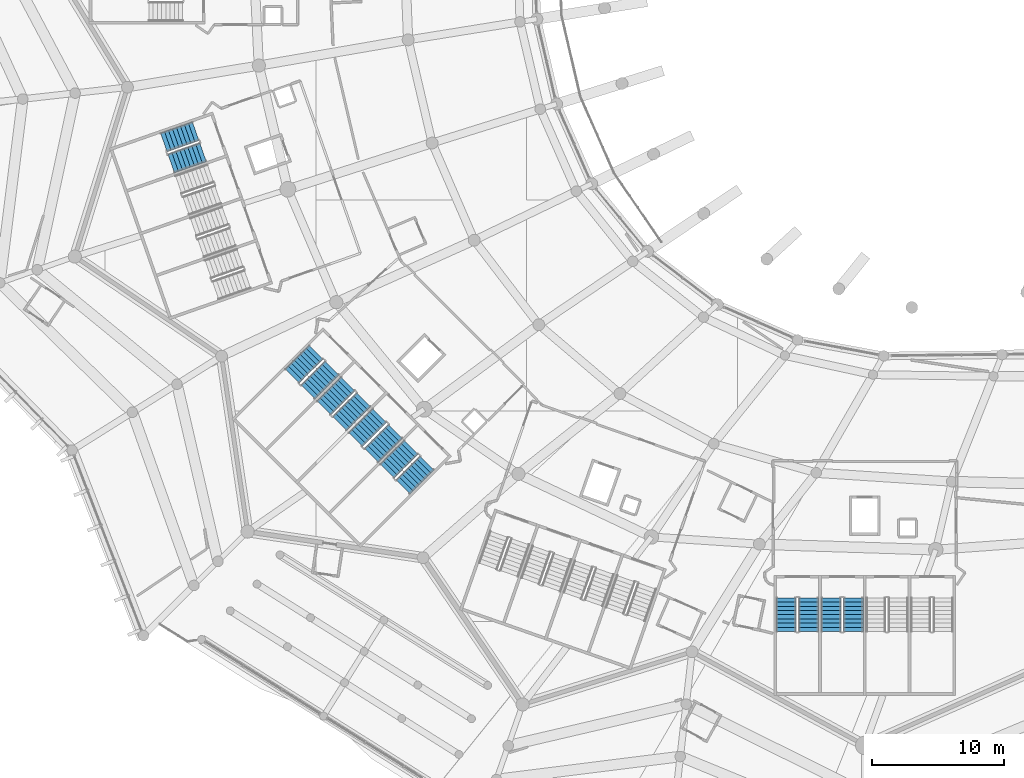
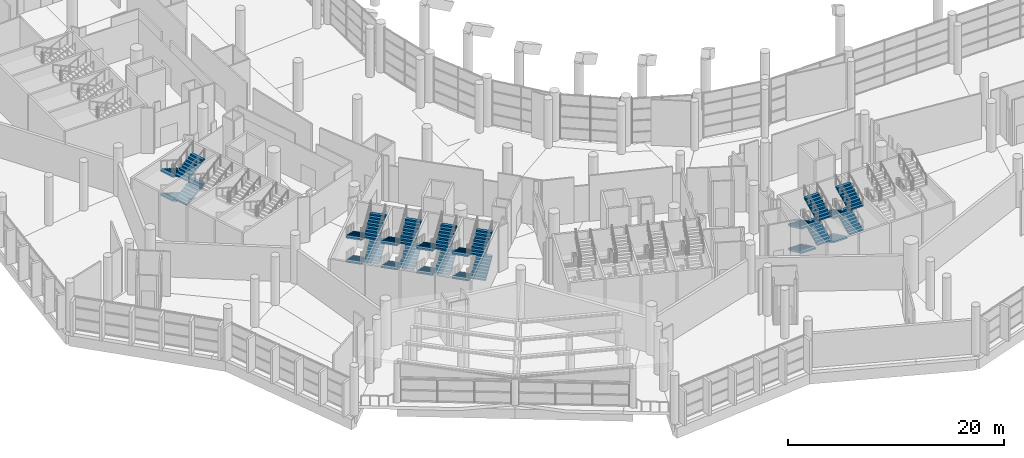
# One storey, part 206 of 271: 28 stair flights, 7 elements without a shape of their own.
"""IFC4 building model written with IfcOpenShell, lengths in metres."""

from ifc_helpers import new_model, si_unit, direction, frame, origin, place, context, subcontext, project, spatial, polyline, outline, extrude, material, type_object, element, aggregate, save


model = new_model("IFC4")

# Units and contexts
model_context = context("Model", 3, precision=1e-05, world=origin(), true_north=direction((0.0, 1.0)))
body_context = subcontext(model_context, "Body", "Model", "MODEL_VIEW")
ifc_project = project(units=[si_unit("LENGTHUNIT", "METRE"), si_unit("AREAUNIT", "SQUARE_METRE"), si_unit("VOLUMEUNIT", "CUBIC_METRE"), si_unit("PLANEANGLEUNIT", "RADIAN"), si_unit("MASSUNIT", "GRAM", prefix="KILO")], contexts=[model_context])

# Site, building, storey
site_placement = place(None, origin())
site = spatial("IfcSite", under=ifc_project, at=site_placement, CompositionType="ELEMENT")
building_placement = place(site_placement, origin())
building = spatial("IfcBuilding", under=site, at=building_placement, Name="Meseta Stadium", CompositionType="ELEMENT")
storey_placement = place(building_placement, frame((0.0, 0.0, 6.5)))
storey = spatial("IfcBuildingStorey", under=building, at=storey_placement, Name="L01", CompositionType="ELEMENT", Elevation=6.5)

# Stair, stair flights
ifc_material_1 = material(Name="Concrete C40/50", Category="concrete")
stair_type = type_object("IfcStairType", Name="Exit stair 4 flights 153 mm risers", PredefinedType="HALF_TURN_STAIR", material=ifc_material_1)
stair_1_placement = place(storey_placement, origin())
stair_1 = element("IfcStair", 1, at=stair_1_placement, inside=storey, type_object=stair_type, Name="ST77 L01", PredefinedType="HALF_TURN_STAIR")
ifc_material_2 = material(Name="Concrete C40/50", Category="concrete")
stair_flight_type = type_object("IfcStairFlightType", Name="Exit stair flight 153 mm risers, 4 per storey", PredefinedType="STRAIGHT", material=ifc_material_2)
stair_flight_1_placement = place(storey_placement, frame((-89.118408203125, -58.7841796875, 0.0), z_axis=(0.0, 0.0, 1.0), x_axis=(-0.943883331955, -0.330279057248, 0.0)))
stair_flight_1 = element("IfcStairFlight", 2, at=stair_flight_1_placement, type_object=stair_flight_type, Name="ST77 L01 flight 1", NumberOfRisers=9, NumberOfTreads=8, PredefinedType="STRAIGHT", RiserHeight=0.152777778, TreadLength=0.32, context=body_context, shape_type="SweptSolid", body=[
    extrude(outline(polyline([(0.0, 0.0), (0.0, 0.15283203125), (0.320068359375, 0.15283203125), (0.320068359375, 0.3056640625), (0.639892578125, 0.3056640625), (0.639892578125, 0.458251953125), (0.9599609375, 0.458251953125), (0.9599609375, 0.611083984375), (1.280029296875, 0.611083984375), (1.280029296875, 0.763916015625), (1.60009765625, 0.763916015625), (1.60009765625, 0.916748046875), (1.919921875, 0.916748046875), (1.919921875, 1.0693359375), (2.239990234375, 1.0693359375), (2.239990234375, 1.22216796875), (2.56005859375, 1.22216796875), (2.56005859375, 1.05615234375), (0.347900390625, 0.0), (0.0, 0.0)])), frame((0.0, 0.75, 0.0), z_axis=(0.0, -1.0, 0.0), x_axis=(1.0, 0.0, 0.0)), (0.0, 0.0, 1.0), 1.5),
])
stair_flight_2_placement = place(storey_placement, frame((-90.973388671875, -61.234130859375, 1.375), z_axis=(0.0, 0.0, 1.0), x_axis=(0.943883331955, 0.330279057248, 0.0)))
stair_flight_2 = element("IfcStairFlight", 3, at=stair_flight_2_placement, type_object=stair_flight_type, Name="ST77 L01 flight 2", NumberOfRisers=9, NumberOfTreads=8, PredefinedType="STRAIGHT", RiserHeight=0.152777778, TreadLength=0.32, context=body_context, shape_type="SweptSolid", body=[
    extrude(outline(polyline([(0.0, 0.0), (0.0, 0.15283203125), (0.320068359375, 0.15283203125), (0.320068359375, 0.3056640625), (0.639892578125, 0.3056640625), (0.639892578125, 0.458251953125), (0.9599609375, 0.458251953125), (0.9599609375, 0.611083984375), (1.280029296875, 0.611083984375), (1.280029296875, 0.763916015625), (1.60009765625, 0.763916015625), (1.60009765625, 0.916748046875), (1.919921875, 0.916748046875), (1.919921875, 1.0693359375), (2.239990234375, 1.0693359375), (2.239990234375, 1.22216796875), (2.56005859375, 1.22216796875), (2.56005859375, 1.05615234375), (0.347900390625, 0.0), (0.0, 0.0)])), frame((0.0, 0.75, 0.0), z_axis=(0.0, -1.0, 0.0), x_axis=(1.0, 0.0, 0.0)), (0.0, 0.0, 1.0), 1.5),
])
stair_flight_3_placement = place(storey_placement, frame((-89.118408203125, -58.7841796875, 2.75), z_axis=(0.0, 0.0, 1.0), x_axis=(-0.943883331955, -0.330279057248, 0.0)))
stair_flight_3 = element("IfcStairFlight", 4, at=stair_flight_3_placement, type_object=stair_flight_type, Name="ST77 L01 flight 3", NumberOfRisers=9, NumberOfTreads=8, PredefinedType="STRAIGHT", RiserHeight=0.152777778, TreadLength=0.32, context=body_context, shape_type="SweptSolid", body=[
    extrude(outline(polyline([(0.0, 0.0), (0.0, 0.15283203125), (0.320068359375, 0.15283203125), (0.320068359375, 0.3056640625), (0.639892578125, 0.3056640625), (0.639892578125, 0.458251953125), (0.9599609375, 0.458251953125), (0.9599609375, 0.611083984375), (1.280029296875, 0.611083984375), (1.280029296875, 0.763916015625), (1.60009765625, 0.763916015625), (1.60009765625, 0.916748046875), (1.919921875, 0.916748046875), (1.919921875, 1.0693359375), (2.239990234375, 1.0693359375), (2.239990234375, 1.22216796875), (2.56005859375, 1.22216796875), (2.56005859375, 1.05615234375), (0.347900390625, 0.0), (0.0, 0.0)])), frame((0.0, 0.75, 0.0), z_axis=(0.0, -1.0, 0.0), x_axis=(1.0, 0.0, 0.0)), (0.0, 0.0, 1.0), 1.5),
])
stair_flight_4_placement = place(storey_placement, frame((-90.973388671875, -61.234130859375, 4.125), z_axis=(0.0, 0.0, 1.0), x_axis=(0.943883331955, 0.330279057248, 0.0)))
stair_flight_4 = element("IfcStairFlight", 5, at=stair_flight_4_placement, type_object=stair_flight_type, Name="ST77 L01 flight 4", NumberOfRisers=9, NumberOfTreads=8, PredefinedType="STRAIGHT", RiserHeight=0.152777778, TreadLength=0.32, context=body_context, shape_type="SweptSolid", body=[
    extrude(outline(polyline([(0.0, 0.0), (0.0, 0.15283203125), (0.320068359375, 0.15283203125), (0.320068359375, 0.3056640625), (0.639892578125, 0.3056640625), (0.639892578125, 0.458251953125), (0.9599609375, 0.458251953125), (0.9599609375, 0.611083984375), (1.280029296875, 0.611083984375), (1.280029296875, 0.763916015625), (1.60009765625, 0.763916015625), (1.60009765625, 0.916748046875), (1.919921875, 0.916748046875), (1.919921875, 1.0693359375), (2.239990234375, 1.0693359375), (2.239990234375, 1.22216796875), (2.56005859375, 1.22216796875), (2.56005859375, 1.05615234375), (0.347900390625, 0.0), (0.0, 0.0)])), frame((0.0, 0.75, 0.0), z_axis=(0.0, -1.0, 0.0), x_axis=(1.0, 0.0, 0.0)), (0.0, 0.0, 1.0), 1.5),
])
aggregate(stair_1, [stair_flight_1, stair_flight_2, stair_flight_3, stair_flight_4])

stair_2_placement = place(storey_placement, origin())
stair_2 = element("IfcStair", 6, at=stair_2_placement, inside=storey, type_object=stair_type, Name="ST81 L01", PredefinedType="HALF_TURN_STAIR")
stair_flight_5_placement = place(storey_placement, frame((-79.9765625, -75.56201171875, 0.0), z_axis=(0.0, 0.0, 1.0), x_axis=(-0.707106781187, -0.707106781187, 0.0)))
stair_flight_5 = element("IfcStairFlight", 7, at=stair_flight_5_placement, type_object=stair_flight_type, Name="ST81 L01 flight 1", NumberOfRisers=9, NumberOfTreads=8, PredefinedType="STRAIGHT", RiserHeight=0.152777778, TreadLength=0.32, context=body_context, shape_type="SweptSolid", body=[
    extrude(outline(polyline([(0.0, 0.0), (0.0, 0.15283203125), (0.320068359375, 0.15283203125), (0.320068359375, 0.3056640625), (0.639892578125, 0.3056640625), (0.639892578125, 0.458251953125), (0.9599609375, 0.458251953125), (0.9599609375, 0.611083984375), (1.280029296875, 0.611083984375), (1.280029296875, 0.763916015625), (1.60009765625, 0.763916015625), (1.60009765625, 0.916748046875), (1.919921875, 0.916748046875), (1.919921875, 1.0693359375), (2.239990234375, 1.0693359375), (2.239990234375, 1.22216796875), (2.56005859375, 1.22216796875), (2.56005859375, 1.05615234375), (0.347900390625, 0.0), (0.0, 0.0)])), frame((0.0, 0.75, 0.0), z_axis=(0.0, -1.0, 0.0), x_axis=(1.0, 0.0, 0.0)), (0.0, 0.0, 1.0), 1.5),
])
stair_flight_6_placement = place(storey_placement, frame((-80.58447265625, -78.57421875, 1.375), z_axis=(0.0, 0.0, 1.0), x_axis=(0.707106781187, 0.707106781187, 0.0)))
stair_flight_6 = element("IfcStairFlight", 8, at=stair_flight_6_placement, type_object=stair_flight_type, Name="ST81 L01 flight 2", NumberOfRisers=9, NumberOfTreads=8, PredefinedType="STRAIGHT", RiserHeight=0.152777778, TreadLength=0.32, context=body_context, shape_type="SweptSolid", body=[
    extrude(outline(polyline([(0.0, 0.0), (0.0, 0.15283203125), (0.320068359375, 0.15283203125), (0.320068359375, 0.3056640625), (0.639892578125, 0.3056640625), (0.639892578125, 0.458251953125), (0.9599609375, 0.458251953125), (0.9599609375, 0.611083984375), (1.280029296875, 0.611083984375), (1.280029296875, 0.763916015625), (1.60009765625, 0.763916015625), (1.60009765625, 0.916748046875), (1.919921875, 0.916748046875), (1.919921875, 1.0693359375), (2.239990234375, 1.0693359375), (2.239990234375, 1.22216796875), (2.56005859375, 1.22216796875), (2.56005859375, 1.05615234375), (0.347900390625, 0.0), (0.0, 0.0)])), frame((0.0, 0.75, 0.0), z_axis=(0.0, -1.0, 0.0), x_axis=(1.0, 0.0, 0.0)), (0.0, 0.0, 1.0), 1.5),
])
stair_flight_7_placement = place(storey_placement, frame((-79.9765625, -75.56201171875, 2.75), z_axis=(0.0, 0.0, 1.0), x_axis=(-0.707106781187, -0.707106781187, 0.0)))
stair_flight_7 = element("IfcStairFlight", 9, at=stair_flight_7_placement, type_object=stair_flight_type, Name="ST81 L01 flight 3", NumberOfRisers=9, NumberOfTreads=8, PredefinedType="STRAIGHT", RiserHeight=0.152777778, TreadLength=0.32, context=body_context, shape_type="SweptSolid", body=[
    extrude(outline(polyline([(0.0, 0.0), (0.0, 0.15283203125), (0.320068359375, 0.15283203125), (0.320068359375, 0.3056640625), (0.639892578125, 0.3056640625), (0.639892578125, 0.458251953125), (0.9599609375, 0.458251953125), (0.9599609375, 0.611083984375), (1.280029296875, 0.611083984375), (1.280029296875, 0.763916015625), (1.60009765625, 0.763916015625), (1.60009765625, 0.916748046875), (1.919921875, 0.916748046875), (1.919921875, 1.0693359375), (2.239990234375, 1.0693359375), (2.239990234375, 1.22216796875), (2.56005859375, 1.22216796875), (2.56005859375, 1.05615234375), (0.347900390625, 0.0), (0.0, 0.0)])), frame((0.0, 0.75, 0.0), z_axis=(0.0, -1.0, 0.0), x_axis=(1.0, 0.0, 0.0)), (0.0, 0.0, 1.0), 1.5),
])
stair_flight_8_placement = place(storey_placement, frame((-80.58447265625, -78.57421875, 4.125), z_axis=(0.0, 0.0, 1.0), x_axis=(0.707106781187, 0.707106781187, 0.0)))
stair_flight_8 = element("IfcStairFlight", 10, at=stair_flight_8_placement, type_object=stair_flight_type, Name="ST81 L01 flight 4", NumberOfRisers=9, NumberOfTreads=8, PredefinedType="STRAIGHT", RiserHeight=0.152777778, TreadLength=0.32, context=body_context, shape_type="SweptSolid", body=[
    extrude(outline(polyline([(0.0, 0.0), (0.0, 0.15283203125), (0.320068359375, 0.15283203125), (0.320068359375, 0.3056640625), (0.639892578125, 0.3056640625), (0.639892578125, 0.458251953125), (0.9599609375, 0.458251953125), (0.9599609375, 0.611083984375), (1.280029296875, 0.611083984375), (1.280029296875, 0.763916015625), (1.60009765625, 0.763916015625), (1.60009765625, 0.916748046875), (1.919921875, 0.916748046875), (1.919921875, 1.0693359375), (2.239990234375, 1.0693359375), (2.239990234375, 1.22216796875), (2.56005859375, 1.22216796875), (2.56005859375, 1.05615234375), (0.347900390625, 0.0), (0.0, 0.0)])), frame((0.0, 0.75, 0.0), z_axis=(0.0, -1.0, 0.0), x_axis=(1.0, 0.0, 0.0)), (0.0, 0.0, 1.0), 1.5),
])
aggregate(stair_2, [stair_flight_5, stair_flight_6, stair_flight_7, stair_flight_8])

stair_3_placement = place(storey_placement, origin())
stair_3 = element("IfcStair", 11, at=stair_3_placement, inside=storey, type_object=stair_type, Name="ST82 L01", PredefinedType="HALF_TURN_STAIR")
stair_flight_9_placement = place(storey_placement, frame((-77.572265625, -77.966064453125, 0.0), z_axis=(0.0, 0.0, 1.0), x_axis=(-0.707106781187, -0.707106781187, 0.0)))
stair_flight_9 = element("IfcStairFlight", 12, at=stair_flight_9_placement, type_object=stair_flight_type, Name="ST82 L01 flight 1", NumberOfRisers=9, NumberOfTreads=8, PredefinedType="STRAIGHT", RiserHeight=0.152777778, TreadLength=0.32, context=body_context, shape_type="SweptSolid", body=[
    extrude(outline(polyline([(0.0, 0.0), (0.0, 0.15283203125), (0.320068359375, 0.15283203125), (0.320068359375, 0.3056640625), (0.639892578125, 0.3056640625), (0.639892578125, 0.458251953125), (0.9599609375, 0.458251953125), (0.9599609375, 0.611083984375), (1.280029296875, 0.611083984375), (1.280029296875, 0.763916015625), (1.60009765625, 0.763916015625), (1.60009765625, 0.916748046875), (1.919921875, 0.916748046875), (1.919921875, 1.0693359375), (2.239990234375, 1.0693359375), (2.239990234375, 1.22216796875), (2.56005859375, 1.22216796875), (2.56005859375, 1.05615234375), (0.347900390625, 0.0), (0.0, 0.0)])), frame((0.0, 0.75, 0.0), z_axis=(0.0, -1.0, 0.0), x_axis=(1.0, 0.0, 0.0)), (0.0, 0.0, 1.0), 1.5),
])
stair_flight_10_placement = place(storey_placement, frame((-78.180419921875, -80.978271484375, 1.375), z_axis=(0.0, 0.0, 1.0), x_axis=(0.707106781187, 0.707106781187, 0.0)))
stair_flight_10 = element("IfcStairFlight", 13, at=stair_flight_10_placement, type_object=stair_flight_type, Name="ST82 L01 flight 2", NumberOfRisers=9, NumberOfTreads=8, PredefinedType="STRAIGHT", RiserHeight=0.152777778, TreadLength=0.32, context=body_context, shape_type="SweptSolid", body=[
    extrude(outline(polyline([(0.0, 0.0), (0.0, 0.15283203125), (0.320068359375, 0.15283203125), (0.320068359375, 0.3056640625), (0.639892578125, 0.3056640625), (0.639892578125, 0.458251953125), (0.9599609375, 0.458251953125), (0.9599609375, 0.611083984375), (1.280029296875, 0.611083984375), (1.280029296875, 0.763916015625), (1.60009765625, 0.763916015625), (1.60009765625, 0.916748046875), (1.919921875, 0.916748046875), (1.919921875, 1.0693359375), (2.239990234375, 1.0693359375), (2.239990234375, 1.22216796875), (2.56005859375, 1.22216796875), (2.56005859375, 1.05615234375), (0.347900390625, 0.0), (0.0, 0.0)])), frame((0.0, 0.75, 0.0), z_axis=(0.0, -1.0, 0.0), x_axis=(1.0, 0.0, 0.0)), (0.0, 0.0, 1.0), 1.5),
])
stair_flight_11_placement = place(storey_placement, frame((-77.572265625, -77.966064453125, 2.75), z_axis=(0.0, 0.0, 1.0), x_axis=(-0.707106781187, -0.707106781187, 0.0)))
stair_flight_11 = element("IfcStairFlight", 14, at=stair_flight_11_placement, type_object=stair_flight_type, Name="ST82 L01 flight 3", NumberOfRisers=9, NumberOfTreads=8, PredefinedType="STRAIGHT", RiserHeight=0.152777778, TreadLength=0.32, context=body_context, shape_type="SweptSolid", body=[
    extrude(outline(polyline([(0.0, 0.0), (0.0, 0.15283203125), (0.320068359375, 0.15283203125), (0.320068359375, 0.3056640625), (0.639892578125, 0.3056640625), (0.639892578125, 0.458251953125), (0.9599609375, 0.458251953125), (0.9599609375, 0.611083984375), (1.280029296875, 0.611083984375), (1.280029296875, 0.763916015625), (1.60009765625, 0.763916015625), (1.60009765625, 0.916748046875), (1.919921875, 0.916748046875), (1.919921875, 1.0693359375), (2.239990234375, 1.0693359375), (2.239990234375, 1.22216796875), (2.56005859375, 1.22216796875), (2.56005859375, 1.05615234375), (0.347900390625, 0.0), (0.0, 0.0)])), frame((0.0, 0.75, 0.0), z_axis=(0.0, -1.0, 0.0), x_axis=(1.0, 0.0, 0.0)), (0.0, 0.0, 1.0), 1.5),
])
stair_flight_12_placement = place(storey_placement, frame((-78.180419921875, -80.978271484375, 4.125), z_axis=(0.0, 0.0, 1.0), x_axis=(0.707106781187, 0.707106781187, 0.0)))
stair_flight_12 = element("IfcStairFlight", 15, at=stair_flight_12_placement, type_object=stair_flight_type, Name="ST82 L01 flight 4", NumberOfRisers=9, NumberOfTreads=8, PredefinedType="STRAIGHT", RiserHeight=0.152777778, TreadLength=0.32, context=body_context, shape_type="SweptSolid", body=[
    extrude(outline(polyline([(0.0, 0.0), (0.0, 0.15283203125), (0.320068359375, 0.15283203125), (0.320068359375, 0.3056640625), (0.639892578125, 0.3056640625), (0.639892578125, 0.458251953125), (0.9599609375, 0.458251953125), (0.9599609375, 0.611083984375), (1.280029296875, 0.611083984375), (1.280029296875, 0.763916015625), (1.60009765625, 0.763916015625), (1.60009765625, 0.916748046875), (1.919921875, 0.916748046875), (1.919921875, 1.0693359375), (2.239990234375, 1.0693359375), (2.239990234375, 1.22216796875), (2.56005859375, 1.22216796875), (2.56005859375, 1.05615234375), (0.347900390625, 0.0), (0.0, 0.0)])), frame((0.0, 0.75, 0.0), z_axis=(0.0, -1.0, 0.0), x_axis=(1.0, 0.0, 0.0)), (0.0, 0.0, 1.0), 1.5),
])
aggregate(stair_3, [stair_flight_9, stair_flight_10, stair_flight_11, stair_flight_12])

stair_4_placement = place(storey_placement, origin())
stair_4 = element("IfcStair", 16, at=stair_4_placement, inside=storey, type_object=stair_type, Name="ST83 L01", PredefinedType="HALF_TURN_STAIR")
stair_flight_13_placement = place(storey_placement, frame((-75.168212890625, -80.3701171875, 0.0), z_axis=(0.0, 0.0, 1.0), x_axis=(-0.707106781187, -0.707106781187, 0.0)))
stair_flight_13 = element("IfcStairFlight", 17, at=stair_flight_13_placement, type_object=stair_flight_type, Name="ST83 L01 flight 1", NumberOfRisers=9, NumberOfTreads=8, PredefinedType="STRAIGHT", RiserHeight=0.152777778, TreadLength=0.32, context=body_context, shape_type="SweptSolid", body=[
    extrude(outline(polyline([(0.0, 0.0), (0.0, 0.15283203125), (0.320068359375, 0.15283203125), (0.320068359375, 0.3056640625), (0.639892578125, 0.3056640625), (0.639892578125, 0.458251953125), (0.9599609375, 0.458251953125), (0.9599609375, 0.611083984375), (1.280029296875, 0.611083984375), (1.280029296875, 0.763916015625), (1.60009765625, 0.763916015625), (1.60009765625, 0.916748046875), (1.919921875, 0.916748046875), (1.919921875, 1.0693359375), (2.239990234375, 1.0693359375), (2.239990234375, 1.22216796875), (2.56005859375, 1.22216796875), (2.56005859375, 1.05615234375), (0.347900390625, 0.0), (0.0, 0.0)])), frame((0.0, 0.75, 0.0), z_axis=(0.0, -1.0, 0.0), x_axis=(1.0, 0.0, 0.0)), (0.0, 0.0, 1.0), 1.5),
])
stair_flight_14_placement = place(storey_placement, frame((-75.7763671875, -83.382568359375, 1.375), z_axis=(0.0, 0.0, 1.0), x_axis=(0.707106781187, 0.707106781187, 0.0)))
stair_flight_14 = element("IfcStairFlight", 18, at=stair_flight_14_placement, type_object=stair_flight_type, Name="ST83 L01 flight 2", NumberOfRisers=9, NumberOfTreads=8, PredefinedType="STRAIGHT", RiserHeight=0.152777778, TreadLength=0.32, context=body_context, shape_type="SweptSolid", body=[
    extrude(outline(polyline([(0.0, 0.0), (0.0, 0.15283203125), (0.320068359375, 0.15283203125), (0.320068359375, 0.3056640625), (0.639892578125, 0.3056640625), (0.639892578125, 0.458251953125), (0.9599609375, 0.458251953125), (0.9599609375, 0.611083984375), (1.280029296875, 0.611083984375), (1.280029296875, 0.763916015625), (1.60009765625, 0.763916015625), (1.60009765625, 0.916748046875), (1.919921875, 0.916748046875), (1.919921875, 1.0693359375), (2.239990234375, 1.0693359375), (2.239990234375, 1.22216796875), (2.56005859375, 1.22216796875), (2.56005859375, 1.05615234375), (0.347900390625, 0.0), (0.0, 0.0)])), frame((0.0, 0.75, 0.0), z_axis=(0.0, -1.0, 0.0), x_axis=(1.0, 0.0, 0.0)), (0.0, 0.0, 1.0), 1.5),
])
stair_flight_15_placement = place(storey_placement, frame((-75.168212890625, -80.3701171875, 2.75), z_axis=(0.0, 0.0, 1.0), x_axis=(-0.707106781187, -0.707106781187, 0.0)))
stair_flight_15 = element("IfcStairFlight", 19, at=stair_flight_15_placement, type_object=stair_flight_type, Name="ST83 L01 flight 3", NumberOfRisers=9, NumberOfTreads=8, PredefinedType="STRAIGHT", RiserHeight=0.152777778, TreadLength=0.32, context=body_context, shape_type="SweptSolid", body=[
    extrude(outline(polyline([(0.0, 0.0), (0.0, 0.15283203125), (0.320068359375, 0.15283203125), (0.320068359375, 0.3056640625), (0.639892578125, 0.3056640625), (0.639892578125, 0.458251953125), (0.9599609375, 0.458251953125), (0.9599609375, 0.611083984375), (1.280029296875, 0.611083984375), (1.280029296875, 0.763916015625), (1.60009765625, 0.763916015625), (1.60009765625, 0.916748046875), (1.919921875, 0.916748046875), (1.919921875, 1.0693359375), (2.239990234375, 1.0693359375), (2.239990234375, 1.22216796875), (2.56005859375, 1.22216796875), (2.56005859375, 1.05615234375), (0.347900390625, 0.0), (0.0, 0.0)])), frame((0.0, 0.75, 0.0), z_axis=(0.0, -1.0, 0.0), x_axis=(1.0, 0.0, 0.0)), (0.0, 0.0, 1.0), 1.5),
])
stair_flight_16_placement = place(storey_placement, frame((-75.7763671875, -83.382568359375, 4.125), z_axis=(0.0, 0.0, 1.0), x_axis=(0.707106781187, 0.707106781187, 0.0)))
stair_flight_16 = element("IfcStairFlight", 20, at=stair_flight_16_placement, type_object=stair_flight_type, Name="ST83 L01 flight 4", NumberOfRisers=9, NumberOfTreads=8, PredefinedType="STRAIGHT", RiserHeight=0.152777778, TreadLength=0.32, context=body_context, shape_type="SweptSolid", body=[
    extrude(outline(polyline([(0.0, 0.0), (0.0, 0.15283203125), (0.320068359375, 0.15283203125), (0.320068359375, 0.3056640625), (0.639892578125, 0.3056640625), (0.639892578125, 0.458251953125), (0.9599609375, 0.458251953125), (0.9599609375, 0.611083984375), (1.280029296875, 0.611083984375), (1.280029296875, 0.763916015625), (1.60009765625, 0.763916015625), (1.60009765625, 0.916748046875), (1.919921875, 0.916748046875), (1.919921875, 1.0693359375), (2.239990234375, 1.0693359375), (2.239990234375, 1.22216796875), (2.56005859375, 1.22216796875), (2.56005859375, 1.05615234375), (0.347900390625, 0.0), (0.0, 0.0)])), frame((0.0, 0.75, 0.0), z_axis=(0.0, -1.0, 0.0), x_axis=(1.0, 0.0, 0.0)), (0.0, 0.0, 1.0), 1.5),
])
aggregate(stair_4, [stair_flight_13, stair_flight_14, stair_flight_15, stair_flight_16])

stair_5_placement = place(storey_placement, origin())
stair_5 = element("IfcStair", 21, at=stair_5_placement, inside=storey, type_object=stair_type, Name="ST84 L01", PredefinedType="HALF_TURN_STAIR")
stair_flight_17_placement = place(storey_placement, frame((-72.763916015625, -82.7744140625, 0.0), z_axis=(0.0, 0.0, 1.0), x_axis=(-0.707106781187, -0.707106781187, 0.0)))
stair_flight_17 = element("IfcStairFlight", 22, at=stair_flight_17_placement, type_object=stair_flight_type, Name="ST84 L01 flight 1", NumberOfRisers=9, NumberOfTreads=8, PredefinedType="STRAIGHT", RiserHeight=0.152777778, TreadLength=0.32, context=body_context, shape_type="SweptSolid", body=[
    extrude(outline(polyline([(0.0, 0.0), (0.0, 0.15283203125), (0.320068359375, 0.15283203125), (0.320068359375, 0.3056640625), (0.639892578125, 0.3056640625), (0.639892578125, 0.458251953125), (0.9599609375, 0.458251953125), (0.9599609375, 0.611083984375), (1.280029296875, 0.611083984375), (1.280029296875, 0.763916015625), (1.60009765625, 0.763916015625), (1.60009765625, 0.916748046875), (1.919921875, 0.916748046875), (1.919921875, 1.0693359375), (2.239990234375, 1.0693359375), (2.239990234375, 1.22216796875), (2.56005859375, 1.22216796875), (2.56005859375, 1.05615234375), (0.347900390625, 0.0), (0.0, 0.0)])), frame((0.0, 0.75, 0.0), z_axis=(0.0, -1.0, 0.0), x_axis=(1.0, 0.0, 0.0)), (0.0, 0.0, 1.0), 1.5),
])
stair_flight_18_placement = place(storey_placement, frame((-73.3720703125, -85.78662109375, 1.375), z_axis=(0.0, 0.0, 1.0), x_axis=(0.707106781187, 0.707106781187, 0.0)))
stair_flight_18 = element("IfcStairFlight", 23, at=stair_flight_18_placement, type_object=stair_flight_type, Name="ST84 L01 flight 2", NumberOfRisers=9, NumberOfTreads=8, PredefinedType="STRAIGHT", RiserHeight=0.152777778, TreadLength=0.32, context=body_context, shape_type="SweptSolid", body=[
    extrude(outline(polyline([(0.0, 0.0), (0.0, 0.15283203125), (0.320068359375, 0.15283203125), (0.320068359375, 0.3056640625), (0.639892578125, 0.3056640625), (0.639892578125, 0.458251953125), (0.9599609375, 0.458251953125), (0.9599609375, 0.611083984375), (1.280029296875, 0.611083984375), (1.280029296875, 0.763916015625), (1.60009765625, 0.763916015625), (1.60009765625, 0.916748046875), (1.919921875, 0.916748046875), (1.919921875, 1.0693359375), (2.239990234375, 1.0693359375), (2.239990234375, 1.22216796875), (2.56005859375, 1.22216796875), (2.56005859375, 1.05615234375), (0.347900390625, 0.0), (0.0, 0.0)])), frame((0.0, 0.75, 0.0), z_axis=(0.0, -1.0, 0.0), x_axis=(1.0, 0.0, 0.0)), (0.0, 0.0, 1.0), 1.5),
])
stair_flight_19_placement = place(storey_placement, frame((-72.763916015625, -82.7744140625, 2.75), z_axis=(0.0, 0.0, 1.0), x_axis=(-0.707106781187, -0.707106781187, 0.0)))
stair_flight_19 = element("IfcStairFlight", 24, at=stair_flight_19_placement, type_object=stair_flight_type, Name="ST84 L01 flight 3", NumberOfRisers=9, NumberOfTreads=8, PredefinedType="STRAIGHT", RiserHeight=0.152777778, TreadLength=0.32, context=body_context, shape_type="SweptSolid", body=[
    extrude(outline(polyline([(0.0, 0.0), (0.0, 0.15283203125), (0.320068359375, 0.15283203125), (0.320068359375, 0.3056640625), (0.639892578125, 0.3056640625), (0.639892578125, 0.458251953125), (0.9599609375, 0.458251953125), (0.9599609375, 0.611083984375), (1.280029296875, 0.611083984375), (1.280029296875, 0.763916015625), (1.60009765625, 0.763916015625), (1.60009765625, 0.916748046875), (1.919921875, 0.916748046875), (1.919921875, 1.0693359375), (2.239990234375, 1.0693359375), (2.239990234375, 1.22216796875), (2.56005859375, 1.22216796875), (2.56005859375, 1.05615234375), (0.347900390625, 0.0), (0.0, 0.0)])), frame((0.0, 0.75, 0.0), z_axis=(0.0, -1.0, 0.0), x_axis=(1.0, 0.0, 0.0)), (0.0, 0.0, 1.0), 1.5),
])
stair_flight_20_placement = place(storey_placement, frame((-73.3720703125, -85.78662109375, 4.125), z_axis=(0.0, 0.0, 1.0), x_axis=(0.707106781187, 0.707106781187, 0.0)))
stair_flight_20 = element("IfcStairFlight", 25, at=stair_flight_20_placement, type_object=stair_flight_type, Name="ST84 L01 flight 4", NumberOfRisers=9, NumberOfTreads=8, PredefinedType="STRAIGHT", RiserHeight=0.152777778, TreadLength=0.32, context=body_context, shape_type="SweptSolid", body=[
    extrude(outline(polyline([(0.0, 0.0), (0.0, 0.15283203125), (0.320068359375, 0.15283203125), (0.320068359375, 0.3056640625), (0.639892578125, 0.3056640625), (0.639892578125, 0.458251953125), (0.9599609375, 0.458251953125), (0.9599609375, 0.611083984375), (1.280029296875, 0.611083984375), (1.280029296875, 0.763916015625), (1.60009765625, 0.763916015625), (1.60009765625, 0.916748046875), (1.919921875, 0.916748046875), (1.919921875, 1.0693359375), (2.239990234375, 1.0693359375), (2.239990234375, 1.22216796875), (2.56005859375, 1.22216796875), (2.56005859375, 1.05615234375), (0.347900390625, 0.0), (0.0, 0.0)])), frame((0.0, 0.75, 0.0), z_axis=(0.0, -1.0, 0.0), x_axis=(1.0, 0.0, 0.0)), (0.0, 0.0, 1.0), 1.5),
])
aggregate(stair_5, [stair_flight_17, stair_flight_18, stair_flight_19, stair_flight_20])

stair_6_placement = place(storey_placement, origin())
stair_6 = element("IfcStair", 26, at=stair_6_placement, inside=storey, type_object=stair_type, Name="ST89 L01", PredefinedType="HALF_TURN_STAIR")
stair_flight_21_placement = place(storey_placement, frame((-44.283447265625, -94.199951171875, 0.0), z_axis=(0.0, 0.0, 1.0), x_axis=(0.0, -1.0, 0.0)))
stair_flight_21 = element("IfcStairFlight", 27, at=stair_flight_21_placement, type_object=stair_flight_type, Name="ST89 L01 flight 1", NumberOfRisers=9, NumberOfTreads=8, PredefinedType="STRAIGHT", RiserHeight=0.152777778, TreadLength=0.32, context=body_context, shape_type="SweptSolid", body=[
    extrude(outline(polyline([(0.0, 0.0), (0.0, 0.15283203125), (0.320068359375, 0.15283203125), (0.320068359375, 0.3056640625), (0.639892578125, 0.3056640625), (0.639892578125, 0.458251953125), (0.9599609375, 0.458251953125), (0.9599609375, 0.611083984375), (1.280029296875, 0.611083984375), (1.280029296875, 0.763916015625), (1.60009765625, 0.763916015625), (1.60009765625, 0.916748046875), (1.919921875, 0.916748046875), (1.919921875, 1.0693359375), (2.239990234375, 1.0693359375), (2.239990234375, 1.22216796875), (2.56005859375, 1.22216796875), (2.56005859375, 1.05615234375), (0.347900390625, 0.0), (0.0, 0.0)])), frame((0.0, 0.75, 0.0), z_axis=(0.0, -1.0, 0.0), x_axis=(1.0, 0.0, 0.0)), (0.0, 0.0, 1.0), 1.5),
])
stair_flight_22_placement = place(storey_placement, frame((-42.583251953125, -96.760009765625, 1.375), z_axis=(0.0, 0.0, 1.0), x_axis=(0.0, 1.0, 0.0)))
stair_flight_22 = element("IfcStairFlight", 28, at=stair_flight_22_placement, type_object=stair_flight_type, Name="ST89 L01 flight 2", NumberOfRisers=9, NumberOfTreads=8, PredefinedType="STRAIGHT", RiserHeight=0.152777778, TreadLength=0.32, context=body_context, shape_type="SweptSolid", body=[
    extrude(outline(polyline([(0.0, 0.0), (0.0, 0.15283203125), (0.320068359375, 0.15283203125), (0.320068359375, 0.3056640625), (0.639892578125, 0.3056640625), (0.639892578125, 0.458251953125), (0.9599609375, 0.458251953125), (0.9599609375, 0.611083984375), (1.280029296875, 0.611083984375), (1.280029296875, 0.763916015625), (1.60009765625, 0.763916015625), (1.60009765625, 0.916748046875), (1.919921875, 0.916748046875), (1.919921875, 1.0693359375), (2.239990234375, 1.0693359375), (2.239990234375, 1.22216796875), (2.56005859375, 1.22216796875), (2.56005859375, 1.05615234375), (0.347900390625, 0.0), (0.0, 0.0)])), frame((0.0, 0.75, 0.0), z_axis=(0.0, -1.0, 0.0), x_axis=(1.0, 0.0, 0.0)), (0.0, 0.0, 1.0), 1.5),
])
stair_flight_23_placement = place(storey_placement, frame((-44.283447265625, -94.199951171875, 2.75), z_axis=(0.0, 0.0, 1.0), x_axis=(0.0, -1.0, 0.0)))
stair_flight_23 = element("IfcStairFlight", 29, at=stair_flight_23_placement, type_object=stair_flight_type, Name="ST89 L01 flight 3", NumberOfRisers=9, NumberOfTreads=8, PredefinedType="STRAIGHT", RiserHeight=0.152777778, TreadLength=0.32, context=body_context, shape_type="SweptSolid", body=[
    extrude(outline(polyline([(0.0, 0.0), (0.0, 0.15283203125), (0.320068359375, 0.15283203125), (0.320068359375, 0.3056640625), (0.639892578125, 0.3056640625), (0.639892578125, 0.458251953125), (0.9599609375, 0.458251953125), (0.9599609375, 0.611083984375), (1.280029296875, 0.611083984375), (1.280029296875, 0.763916015625), (1.60009765625, 0.763916015625), (1.60009765625, 0.916748046875), (1.919921875, 0.916748046875), (1.919921875, 1.0693359375), (2.239990234375, 1.0693359375), (2.239990234375, 1.22216796875), (2.56005859375, 1.22216796875), (2.56005859375, 1.05615234375), (0.347900390625, 0.0), (0.0, 0.0)])), frame((0.0, 0.75, 0.0), z_axis=(0.0, -1.0, 0.0), x_axis=(1.0, 0.0, 0.0)), (0.0, 0.0, 1.0), 1.5),
])
stair_flight_24_placement = place(storey_placement, frame((-42.583251953125, -96.760009765625, 4.125), z_axis=(0.0, 0.0, 1.0), x_axis=(0.0, 1.0, 0.0)))
stair_flight_24 = element("IfcStairFlight", 30, at=stair_flight_24_placement, type_object=stair_flight_type, Name="ST89 L01 flight 4", NumberOfRisers=9, NumberOfTreads=8, PredefinedType="STRAIGHT", RiserHeight=0.152777778, TreadLength=0.32, context=body_context, shape_type="SweptSolid", body=[
    extrude(outline(polyline([(0.0, 0.0), (0.0, 0.15283203125), (0.320068359375, 0.15283203125), (0.320068359375, 0.3056640625), (0.639892578125, 0.3056640625), (0.639892578125, 0.458251953125), (0.9599609375, 0.458251953125), (0.9599609375, 0.611083984375), (1.280029296875, 0.611083984375), (1.280029296875, 0.763916015625), (1.60009765625, 0.763916015625), (1.60009765625, 0.916748046875), (1.919921875, 0.916748046875), (1.919921875, 1.0693359375), (2.239990234375, 1.0693359375), (2.239990234375, 1.22216796875), (2.56005859375, 1.22216796875), (2.56005859375, 1.05615234375), (0.347900390625, 0.0), (0.0, 0.0)])), frame((0.0, 0.75, 0.0), z_axis=(0.0, -1.0, 0.0), x_axis=(1.0, 0.0, 0.0)), (0.0, 0.0, 1.0), 1.5),
])
aggregate(stair_6, [stair_flight_21, stair_flight_22, stair_flight_23, stair_flight_24])

stair_7_placement = place(storey_placement, origin())
stair_7 = element("IfcStair", 31, at=stair_7_placement, inside=storey, type_object=stair_type, Name="ST90 L01", PredefinedType="HALF_TURN_STAIR")
stair_flight_25_placement = place(storey_placement, frame((-40.88330078125, -94.199951171875, 0.0), z_axis=(0.0, 0.0, 1.0), x_axis=(0.0, -1.0, 0.0)))
stair_flight_25 = element("IfcStairFlight", 32, at=stair_flight_25_placement, type_object=stair_flight_type, Name="ST90 L01 flight 1", NumberOfRisers=9, NumberOfTreads=8, PredefinedType="STRAIGHT", RiserHeight=0.152777778, TreadLength=0.32, context=body_context, shape_type="SweptSolid", body=[
    extrude(outline(polyline([(0.0, 0.0), (0.0, 0.15283203125), (0.320068359375, 0.15283203125), (0.320068359375, 0.3056640625), (0.639892578125, 0.3056640625), (0.639892578125, 0.458251953125), (0.9599609375, 0.458251953125), (0.9599609375, 0.611083984375), (1.280029296875, 0.611083984375), (1.280029296875, 0.763916015625), (1.60009765625, 0.763916015625), (1.60009765625, 0.916748046875), (1.919921875, 0.916748046875), (1.919921875, 1.0693359375), (2.239990234375, 1.0693359375), (2.239990234375, 1.22216796875), (2.56005859375, 1.22216796875), (2.56005859375, 1.05615234375), (0.347900390625, 0.0), (0.0, 0.0)])), frame((0.0, 0.75, 0.0), z_axis=(0.0, -1.0, 0.0), x_axis=(1.0, 0.0, 0.0)), (0.0, 0.0, 1.0), 1.5),
])
stair_flight_26_placement = place(storey_placement, frame((-39.183349609375, -96.760009765625, 1.375), z_axis=(0.0, 0.0, 1.0), x_axis=(0.0, 1.0, 0.0)))
stair_flight_26 = element("IfcStairFlight", 33, at=stair_flight_26_placement, type_object=stair_flight_type, Name="ST90 L01 flight 2", NumberOfRisers=9, NumberOfTreads=8, PredefinedType="STRAIGHT", RiserHeight=0.152777778, TreadLength=0.32, context=body_context, shape_type="SweptSolid", body=[
    extrude(outline(polyline([(0.0, 0.0), (0.0, 0.15283203125), (0.320068359375, 0.15283203125), (0.320068359375, 0.3056640625), (0.639892578125, 0.3056640625), (0.639892578125, 0.458251953125), (0.9599609375, 0.458251953125), (0.9599609375, 0.611083984375), (1.280029296875, 0.611083984375), (1.280029296875, 0.763916015625), (1.60009765625, 0.763916015625), (1.60009765625, 0.916748046875), (1.919921875, 0.916748046875), (1.919921875, 1.0693359375), (2.239990234375, 1.0693359375), (2.239990234375, 1.22216796875), (2.56005859375, 1.22216796875), (2.56005859375, 1.05615234375), (0.347900390625, 0.0), (0.0, 0.0)])), frame((0.0, 0.75, 0.0), z_axis=(0.0, -1.0, 0.0), x_axis=(1.0, 0.0, 0.0)), (0.0, 0.0, 1.0), 1.5),
])
stair_flight_27_placement = place(storey_placement, frame((-40.88330078125, -94.199951171875, 2.75), z_axis=(0.0, 0.0, 1.0), x_axis=(0.0, -1.0, 0.0)))
stair_flight_27 = element("IfcStairFlight", 34, at=stair_flight_27_placement, type_object=stair_flight_type, Name="ST90 L01 flight 3", NumberOfRisers=9, NumberOfTreads=8, PredefinedType="STRAIGHT", RiserHeight=0.152777778, TreadLength=0.32, context=body_context, shape_type="SweptSolid", body=[
    extrude(outline(polyline([(0.0, 0.0), (0.0, 0.15283203125), (0.320068359375, 0.15283203125), (0.320068359375, 0.3056640625), (0.639892578125, 0.3056640625), (0.639892578125, 0.458251953125), (0.9599609375, 0.458251953125), (0.9599609375, 0.611083984375), (1.280029296875, 0.611083984375), (1.280029296875, 0.763916015625), (1.60009765625, 0.763916015625), (1.60009765625, 0.916748046875), (1.919921875, 0.916748046875), (1.919921875, 1.0693359375), (2.239990234375, 1.0693359375), (2.239990234375, 1.22216796875), (2.56005859375, 1.22216796875), (2.56005859375, 1.05615234375), (0.347900390625, 0.0), (0.0, 0.0)])), frame((0.0, 0.75, 0.0), z_axis=(0.0, -1.0, 0.0), x_axis=(1.0, 0.0, 0.0)), (0.0, 0.0, 1.0), 1.5),
])
stair_flight_28_placement = place(storey_placement, frame((-39.183349609375, -96.760009765625, 4.125), z_axis=(0.0, 0.0, 1.0), x_axis=(0.0, 1.0, 0.0)))
stair_flight_28 = element("IfcStairFlight", 35, at=stair_flight_28_placement, type_object=stair_flight_type, Name="ST90 L01 flight 4", NumberOfRisers=9, NumberOfTreads=8, PredefinedType="STRAIGHT", RiserHeight=0.152777778, TreadLength=0.32, context=body_context, shape_type="SweptSolid", body=[
    extrude(outline(polyline([(0.0, 0.0), (0.0, 0.15283203125), (0.320068359375, 0.15283203125), (0.320068359375, 0.3056640625), (0.639892578125, 0.3056640625), (0.639892578125, 0.458251953125), (0.9599609375, 0.458251953125), (0.9599609375, 0.611083984375), (1.280029296875, 0.611083984375), (1.280029296875, 0.763916015625), (1.60009765625, 0.763916015625), (1.60009765625, 0.916748046875), (1.919921875, 0.916748046875), (1.919921875, 1.0693359375), (2.239990234375, 1.0693359375), (2.239990234375, 1.22216796875), (2.56005859375, 1.22216796875), (2.56005859375, 1.05615234375), (0.347900390625, 0.0), (0.0, 0.0)])), frame((0.0, 0.75, 0.0), z_axis=(0.0, -1.0, 0.0), x_axis=(1.0, 0.0, 0.0)), (0.0, 0.0, 1.0), 1.5),
])
aggregate(stair_7, [stair_flight_25, stair_flight_26, stair_flight_27, stair_flight_28])

save(model, "model.ifc")
